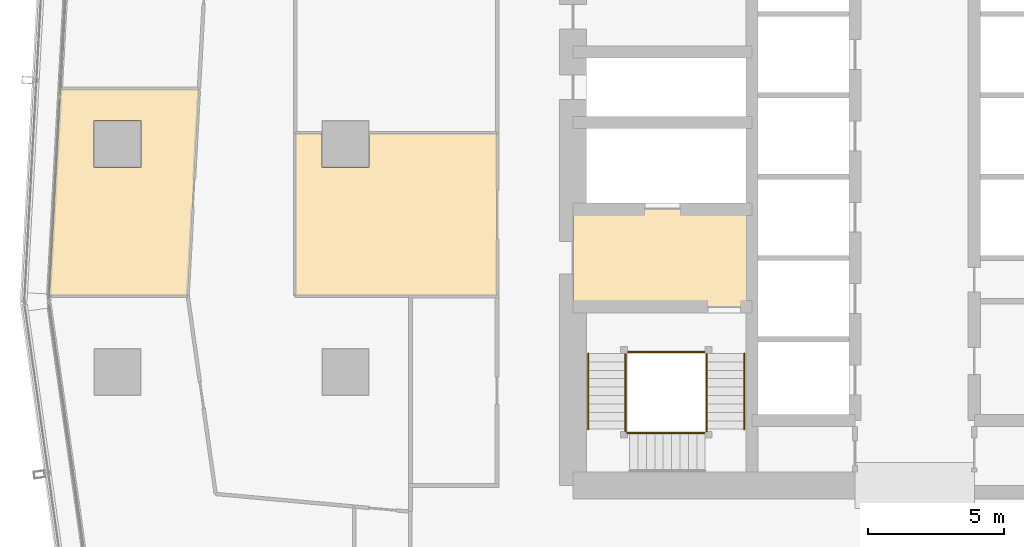
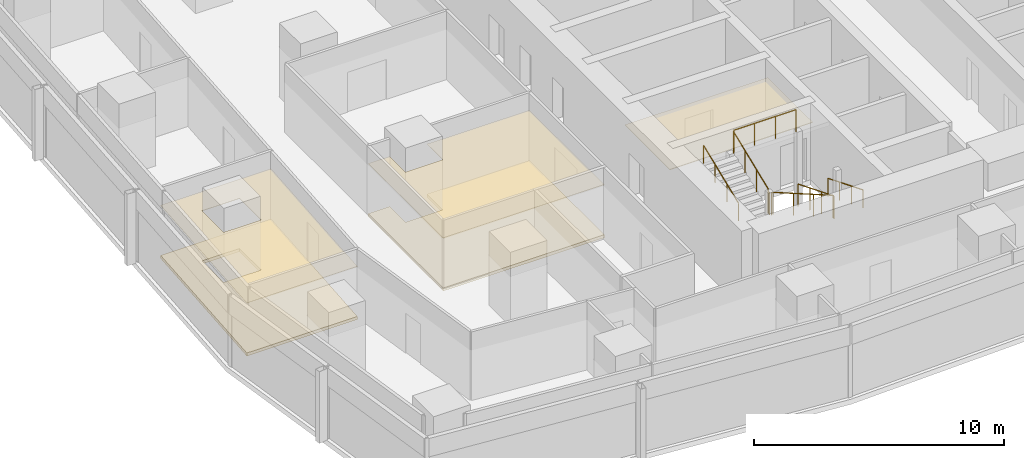
# One storey, part 34 of 40: 9 railings, 5 coverings.
"""IFC4 building model written with IfcOpenShell, lengths in metres."""

from ifc_helpers import new_model, si_unit, direction, frame, origin, origin_2d, place, context, subcontext, project, spatial, polyline, circle, outline, extrude, material, layer, layer_set, type_object, element, save


model = new_model("IFC4")

# Units and contexts
model_context = context("Model", 3, precision=1e-05, world=origin(), true_north=direction((0.0, 1.0)))
body_context = subcontext(model_context, "Body", "Model", "MODEL_VIEW")
ifc_project = project(units=[si_unit("LENGTHUNIT", "METRE"), si_unit("AREAUNIT", "SQUARE_METRE"), si_unit("VOLUMEUNIT", "CUBIC_METRE"), si_unit("PLANEANGLEUNIT", "RADIAN"), si_unit("MASSUNIT", "GRAM", prefix="KILO")], contexts=[model_context])

# Site, building, storey
site_placement = place(None, origin())
site = spatial("IfcSite", under=ifc_project, at=site_placement, CompositionType="ELEMENT")
building_placement = place(site_placement, origin())
building = spatial("IfcBuilding", under=site, at=building_placement, Name="Rekha Terrace Tower", CompositionType="ELEMENT")
storey_placement = place(building_placement, frame((0.0, 0.0, 132.800048828125)))
storey = spatial("IfcBuildingStorey", under=building, at=storey_placement, Name="L33", CompositionType="ELEMENT", Elevation=132.800048828125)

# Coverings
ifc_material_1 = material(Name="Mineral fibre tile in exposed grid", Category="finish")
ifc_layer_1 = layer(ifc_material_1, 0.02001953125)
ifc_layer_set_1 = layer_set([ifc_layer_1], Name="Mineral fibre tile in exposed grid")
covering_type_1 = type_object("IfcCoveringType", Name="CL1 600x1200 office grid ceiling", PredefinedType="CEILING", material=ifc_layer_set_1)
covering_1_placement = place(storey_placement, frame((0.0, 0.0, 2.579833984375)))
element("IfcCovering", 1, at=covering_1_placement, inside=storey, type_object=covering_type_1, Name="Ceiling L33-15", PredefinedType="CEILING", context=body_context, shape_type="SweptSolid", body=[
    extrude(outline(polyline([(5.8740234375, 28.0), (10.98193359375, 28.0), (11.39990234375, 35.634033203125), (6.29296875, 35.634033203125), (5.8740234375, 28.0)]), holes=[polyline([(9.264892578125, 32.735107421875), (7.534912109375, 32.735107421875), (7.534912109375, 34.465087890625), (9.264892578125, 34.465087890625), (9.264892578125, 32.735107421875)])]), origin(), (0.0, 0.0, 1.0), 0.02001953125),
])
covering_2_placement = place(storey_placement, frame((0.0, 0.0, 2.579833984375)))
element("IfcCovering", 2, at=covering_2_placement, inside=storey, type_object=covering_type_1, Name="Ceiling L33-18", PredefinedType="CEILING", context=body_context, shape_type="SweptSolid", body=[
    extrude(outline(polyline([(15.93505859375, 34.0), (14.949951171875, 34.0), (14.949951171875, 28.0), (22.39990234375, 28.0), (22.39990234375, 34.0), (17.6650390625, 34.0), (17.6650390625, 32.735107421875), (15.93505859375, 32.735107421875), (15.93505859375, 34.0)])), origin(), (0.0, 0.0, 1.0), 0.02001953125),
])
ifc_material_2 = material(Name="Powder-coated aluminium pan", Category="aluminium")
ifc_layer_2 = layer(ifc_material_2, 0.030029296875)
ifc_layer_set_2 = layer_set([ifc_layer_2], Name="Powder-coated aluminium pan")
covering_type_2 = type_object("IfcCoveringType", Name="CL3 300x1200 metal pan ceiling", PredefinedType="CEILING", material=ifc_layer_set_2)
covering_3_placement = place(storey_placement, frame((0.0, 0.0, 2.570068359375)))
element("IfcCovering", 3, at=covering_3_placement, inside=storey, type_object=covering_type_2, Name="Ceiling L33-FLB1", PredefinedType="CEILING", context=body_context, shape_type="SweptSolid", body=[
    extrude(outline(polyline([(31.800048828125, 31.199951171875), (25.199951171875, 31.199951171875), (25.199951171875, 27.60009765625), (31.800048828125, 27.60009765625), (31.800048828125, 31.199951171875)])), origin(), (0.0, 0.0, 1.0), 0.02978515625),
])

# Railings
ifc_material_3 = material(Name="Stainless steel balustrade", Category="steel")
railing_type_1 = type_object("IfcRailingType", Name="GR1 1100 stair guard", PredefinedType="GUARDRAIL", material=ifc_material_3)
railing_1_placement = place(storey_placement, frame((30.135009765625, 25.875, 0.125)))
element("IfcRailing", 4, at=railing_1_placement, inside=storey, type_object=railing_type_1, Name="Guard ST1 L33 flight 1", PredefinedType="GUARDRAIL", context=body_context, shape_type="SweptSolid", body=[
    extrude(circle(Radius=0.02392578125, at=origin_2d()), frame((0.0, 0.0, 1.076171875), z_axis=(0.0, -0.927443287984, 0.373963831907), x_axis=(1.0, 0.0, 0.0)), (0.0, 0.0, 1.0), 3.00830078125),
    extrude(circle(Radius=0.02099609375, at=origin_2d()), origin(), (0.0, 0.0, 1.0), 1.052001953125),
    extrude(circle(Radius=0.02099609375, at=origin_2d()), frame((0.0, -0.929931640625, 0.375)), (0.0, 0.0, 1.0), 1.052001953125),
    extrude(circle(Radius=0.02099609375, at=origin_2d()), frame((0.0, -1.860107421875, 0.75)), (0.0, 0.0, 1.0), 1.052001953125),
    extrude(circle(Radius=0.02099609375, at=origin_2d()), frame((0.0, -2.7900390625, 1.125)), (0.0, 0.0, 1.0), 1.052001953125),
])
railing_2_placement = place(storey_placement, frame((30.074951171875, 22.93994140625, 1.375)))
element("IfcRailing", 5, at=railing_2_placement, inside=storey, type_object=railing_type_1, Name="Guard ST1 L33 flight 2", PredefinedType="GUARDRAIL", context=body_context, shape_type="SweptSolid", body=[
    extrude(circle(Radius=0.02392578125, at=origin_2d()), frame((0.0, 0.0, 1.076171875), z_axis=(-0.927443287984, 0.0, 0.373963831907), x_axis=(0.0, -1.0, 0.0)), (0.0, 0.0, 1.0), 3.00830078125),
    extrude(circle(Radius=0.02099609375, at=origin_2d()), origin(), (0.0, 0.0, 1.0), 1.052001953125),
    extrude(circle(Radius=0.02099609375, at=origin_2d()), frame((-0.929931640625, 0.0, 0.375)), (0.0, 0.0, 1.0), 1.052001953125),
    extrude(circle(Radius=0.02099609375, at=origin_2d()), frame((-1.860107421875, 0.0, 0.75)), (0.0, 0.0, 1.0), 1.052001953125),
    extrude(circle(Radius=0.02099609375, at=origin_2d()), frame((-2.7900390625, 0.0, 1.125)), (0.0, 0.0, 1.0), 1.052001953125),
])
railing_3_placement = place(storey_placement, frame((27.139892578125, 23.0849609375, 2.625)))
element("IfcRailing", 6, at=railing_3_placement, inside=storey, type_object=railing_type_1, Name="Guard ST1 L33 flight 3", PredefinedType="GUARDRAIL", context=body_context, shape_type="SweptSolid", body=[
    extrude(circle(Radius=0.02392578125, at=origin_2d()), frame((0.0, 0.0, 1.076171875), z_axis=(0.0, 0.927443287984, 0.373963831907), x_axis=(-1.0, 0.0, 0.0)), (0.0, 0.0, 1.0), 3.00830078125),
    extrude(circle(Radius=0.02099609375, at=origin_2d()), origin(), (0.0, 0.0, 1.0), 1.052001953125),
    extrude(circle(Radius=0.02099609375, at=origin_2d()), frame((0.0, 0.929931640625, 0.375)), (0.0, 0.0, 1.0), 1.052001953125),
    extrude(circle(Radius=0.02099609375, at=origin_2d()), frame((0.0, 1.860107421875, 0.75)), (0.0, 0.0, 1.0), 1.052001953125),
    extrude(circle(Radius=0.02099609375, at=origin_2d()), frame((0.0, 2.7900390625, 1.125)), (0.0, 0.0, 1.0), 1.052001953125),
])
railing_4_placement = place(storey_placement, frame((30.135009765625, 23.0849609375, 1.25)))
element("IfcRailing", 7, at=railing_4_placement, inside=storey, type_object=railing_type_1, Name="Guard ST1 L33 landing 1", PredefinedType="GUARDRAIL", context=body_context, shape_type="SweptSolid", body=[
    extrude(circle(Radius=0.02392578125, at=origin_2d()), frame((0.0, 0.0, 1.076171875), z_axis=(0.0, -1.0, 0.0), x_axis=(1.0, 0.0, 0.0)), (0.0, 0.0, 1.0), 0.0849609375),
    extrude(circle(Radius=0.02099609375, at=origin_2d()), origin(), (0.0, 0.0, 1.0), 1.052001953125),
    extrude(circle(Radius=0.02099609375, at=origin_2d()), frame((0.0, -0.0849609375, 0.0)), (0.0, 0.0, 1.0), 1.052001953125),
])
railing_5_placement = place(storey_placement, frame((27.284912109375, 22.93994140625, 2.5)))
element("IfcRailing", 8, at=railing_5_placement, inside=storey, type_object=railing_type_1, Name="Guard ST1 L33 landing 2", PredefinedType="GUARDRAIL", context=body_context, shape_type="SweptSolid", body=[
    extrude(circle(Radius=0.02392578125, at=origin_2d()), frame((0.0, 0.0, 1.076171875), z_axis=(-1.0, 0.0, 0.0), x_axis=(0.0, -1.0, 0.0)), (0.0, 0.0, 1.0), 0.0849609375),
    extrude(circle(Radius=0.02099609375, at=origin_2d()), origin(), (0.0, 0.0, 1.0), 1.052001953125),
    extrude(circle(Radius=0.02099609375, at=origin_2d()), frame((-0.0849609375, 0.0, 0.0)), (0.0, 0.0, 1.0), 1.052001953125),
])
railing_6_placement = place(storey_placement, frame((27.139892578125, 23.0849609375, 2.5)))
element("IfcRailing", 9, at=railing_6_placement, inside=storey, type_object=railing_type_1, Name="Guard ST1 L33 landing 3", PredefinedType="GUARDRAIL", context=body_context, shape_type="SweptSolid", body=[
    extrude(circle(Radius=0.02392578125, at=origin_2d()), frame((0.0, 0.0, 1.076171875), z_axis=(0.0, -1.0, 0.0), x_axis=(1.0, 0.0, 0.0)), (0.0, 0.0, 1.0), 0.0849609375),
    extrude(circle(Radius=0.02099609375, at=origin_2d()), origin(), (0.0, 0.0, 1.0), 1.052001953125),
    extrude(circle(Radius=0.02099609375, at=origin_2d()), frame((0.0, -0.0849609375, 0.0)), (0.0, 0.0, 1.0), 1.052001953125),
])
railing_7_placement = place(storey_placement, frame((30.074951171875, 25.93505859375, 3.75)))
element("IfcRailing", 10, at=railing_7_placement, inside=storey, type_object=railing_type_1, Name="Guard ST1 L33 landing 4", PredefinedType="GUARDRAIL", context=body_context, shape_type="SweptSolid", body=[
    extrude(circle(Radius=0.02392578125, at=origin_2d()), frame((0.0, 0.0, 1.076171875), z_axis=(-1.0, 0.0, 0.0), x_axis=(0.0, -1.0, 0.0)), (0.0, 0.0, 1.0), 2.875),
    extrude(circle(Radius=0.02099609375, at=origin_2d()), origin(), (0.0, 0.0, 1.0), 1.052001953125),
    extrude(circle(Radius=0.02099609375, at=origin_2d()), frame((-0.958251953125, 0.0, 0.0)), (0.0, 0.0, 1.0), 1.052001953125),
    extrude(circle(Radius=0.02099609375, at=origin_2d()), frame((-1.916748046875, 0.0, 0.0)), (0.0, 0.0, 1.0), 1.052001953125),
    extrude(circle(Radius=0.02099609375, at=origin_2d()), frame((-2.875, 0.0, 0.0)), (0.0, 0.0, 1.0), 1.052001953125),
])
ifc_material_4 = material(Name="Stainless steel tube", Category="steel")
railing_type_2 = type_object("IfcRailingType", Name="HR1 900 stair handrail", PredefinedType="HANDRAIL", material=ifc_material_4)
railing_8_placement = place(storey_placement, frame((31.514892578125, 25.875, 0.125)))
element("IfcRailing", 11, at=railing_8_placement, inside=storey, type_object=railing_type_2, Name="Handrail ST1 L33 flight 1", PredefinedType="HANDRAIL", context=body_context, shape_type="SweptSolid", body=[
    extrude(circle(Radius=0.02392578125, at=origin_2d()), frame((0.0, 0.0, 0.8759765625), z_axis=(0.0, -0.927443287984, 0.373963831907), x_axis=(1.0, 0.0, 0.0)), (0.0, 0.0, 1.0), 3.00830078125),
    extrude(circle(Radius=0.02099609375, at=origin_2d()), origin(), (0.0, 0.0, 1.0), 0.851806640625),
    extrude(circle(Radius=0.02099609375, at=origin_2d()), frame((0.0, -0.929931640625, 0.375)), (0.0, 0.0, 1.0), 0.851806640625),
    extrude(circle(Radius=0.02099609375, at=origin_2d()), frame((0.0, -1.860107421875, 0.75)), (0.0, 0.0, 1.0), 0.851806640625),
    extrude(circle(Radius=0.02099609375, at=origin_2d()), frame((0.0, -2.7900390625, 1.125)), (0.0, 0.0, 1.0), 0.851806640625),
])
railing_9_placement = place(storey_placement, frame((25.760009765625, 23.0849609375, 2.625)))
element("IfcRailing", 12, at=railing_9_placement, inside=storey, type_object=railing_type_2, Name="Handrail ST1 L33 flight 3", PredefinedType="HANDRAIL", context=body_context, shape_type="SweptSolid", body=[
    extrude(circle(Radius=0.02392578125, at=origin_2d()), frame((0.0, 0.0, 0.8759765625), z_axis=(0.0, 0.927443287984, 0.373963831907), x_axis=(-1.0, 0.0, 0.0)), (0.0, 0.0, 1.0), 3.00830078125),
    extrude(circle(Radius=0.02099609375, at=origin_2d()), origin(), (0.0, 0.0, 1.0), 0.851806640625),
    extrude(circle(Radius=0.02099609375, at=origin_2d()), frame((0.0, 0.929931640625, 0.375)), (0.0, 0.0, 1.0), 0.851806640625),
    extrude(circle(Radius=0.02099609375, at=origin_2d()), frame((0.0, 1.860107421875, 0.75)), (0.0, 0.0, 1.0), 0.851806640625),
    extrude(circle(Radius=0.02099609375, at=origin_2d()), frame((0.0, 2.7900390625, 1.125)), (0.0, 0.0, 1.0), 0.851806640625),
])

# Coverings
ifc_material_5 = material(Name="Calcium sulphate panels on steel pedestals", Category="steel")
ifc_layer_3 = layer(ifc_material_5, 0.14990234375)
ifc_layer_set_3 = layer_set([ifc_layer_3], Name="Calcium sulphate panels on steel pedestals")
covering_type_3 = type_object("IfcCoveringType", Name="RF1 150 raised access floor", PredefinedType="FLOORING", material=ifc_layer_set_3)
covering_4_placement = place(storey_placement, origin())
element("IfcCovering", 13, at=covering_4_placement, inside=storey, type_object=covering_type_3, Name="Raised floor L33-15", PredefinedType="FLOORING", context=body_context, shape_type="SweptSolid", body=[
    extrude(outline(polyline([(5.8740234375, 28.0), (10.98193359375, 28.0), (11.39990234375, 35.634033203125), (6.29296875, 35.634033203125), (5.8740234375, 28.0)]), holes=[polyline([(9.264892578125, 32.735107421875), (7.534912109375, 32.735107421875), (7.534912109375, 34.465087890625), (9.264892578125, 34.465087890625), (9.264892578125, 32.735107421875)])]), origin(), (0.0, 0.0, 1.0), 0.14990234375),
])
covering_5_placement = place(storey_placement, origin())
element("IfcCovering", 14, at=covering_5_placement, inside=storey, type_object=covering_type_3, Name="Raised floor L33-18", PredefinedType="FLOORING", context=body_context, shape_type="SweptSolid", body=[
    extrude(outline(polyline([(15.93505859375, 34.0), (14.949951171875, 34.0), (14.949951171875, 28.0), (22.39990234375, 28.0), (22.39990234375, 34.0), (17.6650390625, 34.0), (17.6650390625, 32.735107421875), (15.93505859375, 32.735107421875), (15.93505859375, 34.0)])), origin(), (0.0, 0.0, 1.0), 0.14990234375),
])

save(model, "model.ifc")
